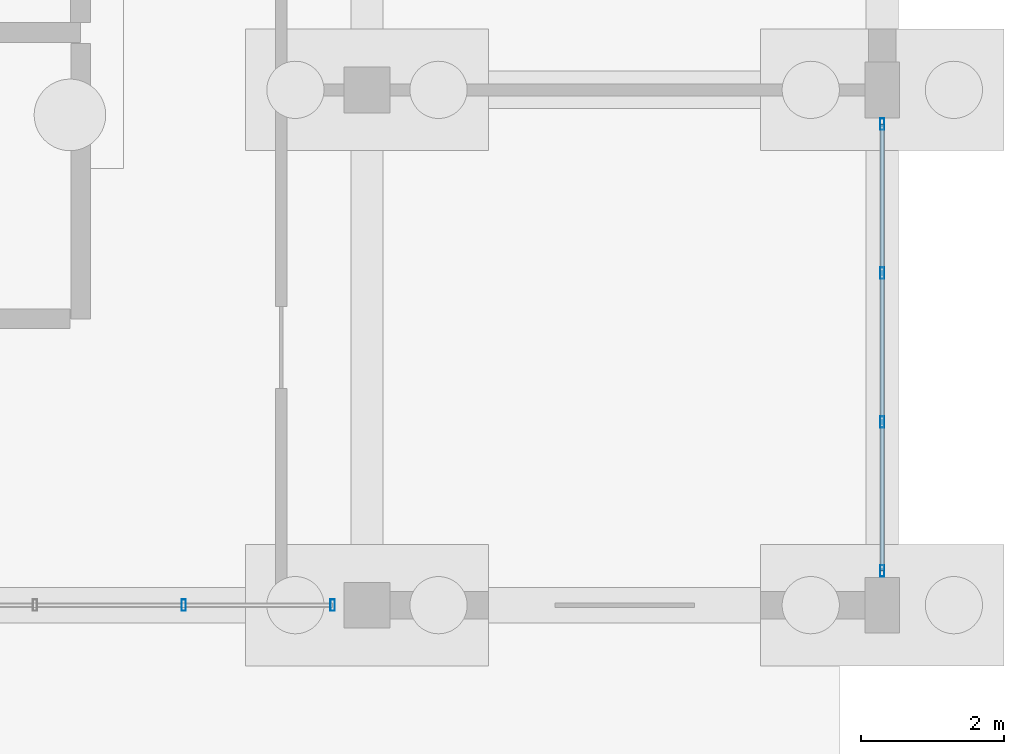
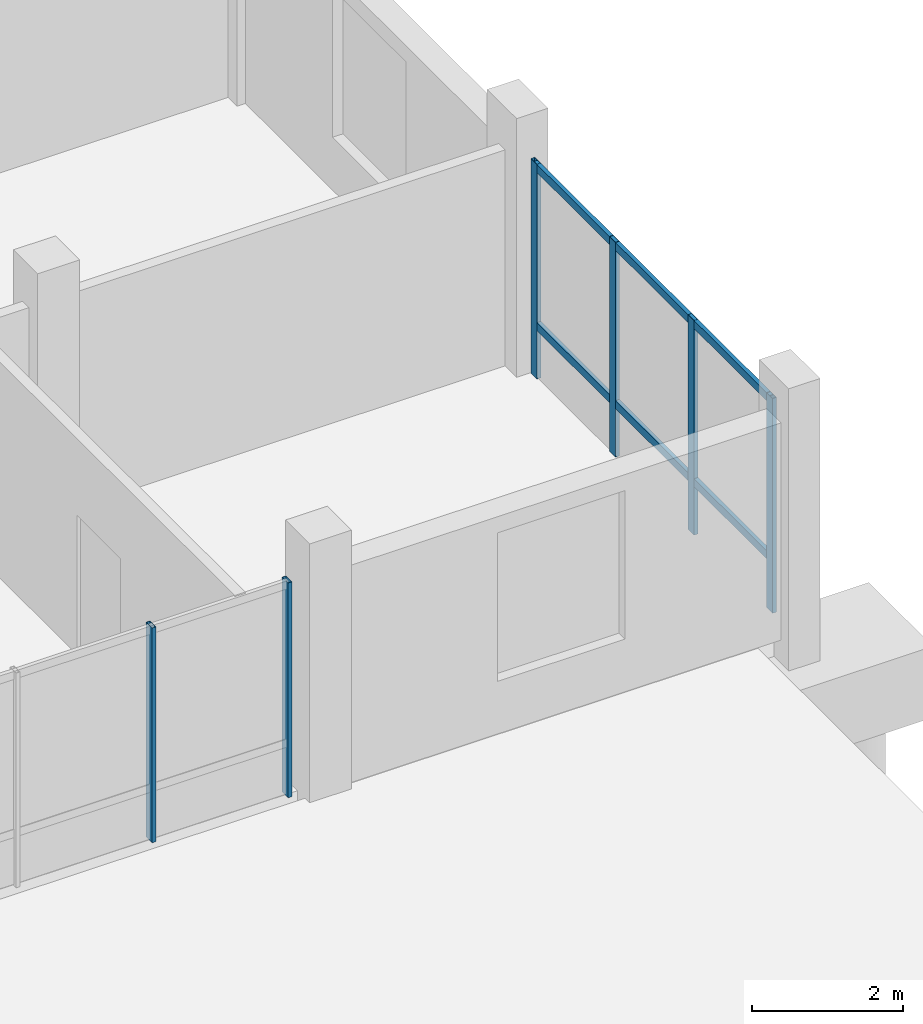
# One storey, part 56 of 98: 8 members, 2 elements without a shape of their own.
"""IFC4 building model written with IfcOpenShell, lengths in metres."""

from ifc_helpers import new_model, si_unit, direction, frame, origin, origin_2d, place, context, subcontext, project, spatial, hollow_rectangle, extrude, material, material_profile, profile_set, type_object, element, aggregate, save


model = new_model("IFC4")

# Units and contexts
model_context = context("Model", 3, precision=1e-05, world=origin(), true_north=direction((0.0, 1.0)))
body_context = subcontext(model_context, "Body", "Model", "MODEL_VIEW")
ifc_project = project(units=[si_unit("LENGTHUNIT", "METRE"), si_unit("AREAUNIT", "SQUARE_METRE"), si_unit("VOLUMEUNIT", "CUBIC_METRE"), si_unit("PLANEANGLEUNIT", "RADIAN"), si_unit("MASSUNIT", "GRAM", prefix="KILO")], contexts=[model_context])

# Site, building, storey
site_placement = place(None, origin())
site = spatial("IfcSite", under=ifc_project, at=site_placement, CompositionType="ELEMENT")
building_placement = place(site_placement, origin())
building = spatial("IfcBuilding", under=site, at=building_placement, Name="Zornivar Specialist Clinic", CompositionType="ELEMENT")
storey_placement = place(building_placement, origin())
storey = spatial("IfcBuildingStorey", under=building, at=storey_placement, Name="L00", CompositionType="ELEMENT", Elevation=0.0)

# Curtain wall, members
ifc_material_1 = material(Name="Aluminium and Low-E Glass Curtain Wall", Category="aluminium")
curtain_wall_type = type_object("IfcCurtainWallType", Name="CW-LAB-NORTH", PredefinedType="NOTDEFINED", material=ifc_material_1)
curtain_wall_1_placement = place(storey_placement, origin())
curtain_wall_1 = element("IfcCurtainWall", 1, at=curtain_wall_1_placement, inside=storey, type_object=curtain_wall_type, Name="cw:V6:L00:02", PredefinedType="NOTDEFINED")
ifc_material_2 = material(Name="Aluminium AW-6060", Category="aluminium")
ifc_material_profile_1 = material_profile(ifc_material_2, hollow_rectangle(XDim=0.06005859375, YDim=0.159912109375, WallThickness=0.00390625, at=origin_2d()), Name="ALU 60x160x4")
ifc_profile_set_1 = profile_set([ifc_material_profile_1], Name="Aluminium AW-6060")
member_type_1 = type_object("IfcMemberType", Name="CWM-MUL-160", PredefinedType="MULLION", material=ifc_profile_set_1)
member_1_placement = place(storey_placement, frame((155.840087890625, 64.800048828125, 0.0), z_axis=(0.0, 0.0, 1.0), x_axis=(1.0, 0.0, 0.0)))
member_1 = element("IfcMember", 2, at=member_1_placement, type_object=member_type_1, Name="cw:V6:L00:02:mul:2", PredefinedType="MULLION", context=body_context, shape_type="SweptSolid", body=[
    extrude(hollow_rectangle(XDim=0.06005859375, YDim=0.159912109375, WallThickness=0.00390625, at=origin_2d()), origin(), (0.0, 0.0, 1.0), 3.469970703125),
])
member_2_placement = place(storey_placement, frame((157.919921875, 64.800048828125, 0.0), z_axis=(0.0, 0.0, 1.0), x_axis=(1.0, 0.0, 0.0)))
member_2 = element("IfcMember", 3, at=member_2_placement, type_object=member_type_1, Name="cw:V6:L00:02:mul:3", PredefinedType="MULLION", context=body_context, shape_type="SweptSolid", body=[
    extrude(hollow_rectangle(XDim=0.06005859375, YDim=0.159912109375, WallThickness=0.00390625, at=origin_2d()), origin(), (0.0, 0.0, 1.0), 3.469970703125),
])
aggregate(curtain_wall_1, [member_1, member_2])

curtain_wall_2_placement = place(storey_placement, origin())
curtain_wall_2 = element("IfcCurtainWall", 4, at=curtain_wall_2_placement, inside=storey, type_object=curtain_wall_type, Name="cw:V6:L00:04", PredefinedType="NOTDEFINED")
member_3_placement = place(storey_placement, frame((165.60009765625, 65.280029296875, 0.0), z_axis=(0.0, 0.0, 1.0), x_axis=(1.0, 0.0, 0.0)))
member_3 = element("IfcMember", 5, at=member_3_placement, type_object=member_type_1, Name="cw:V6:L00:04:mul:0", PredefinedType="MULLION", context=body_context, shape_type="SweptSolid", body=[
    extrude(hollow_rectangle(XDim=0.06005859375, YDim=0.159912109375, WallThickness=0.00390625, at=origin_2d()), origin(), (0.0, 0.0, 1.0), 3.469970703125),
])
member_4_placement = place(storey_placement, frame((165.60009765625, 67.360107421875, 0.0), z_axis=(0.0, 0.0, 1.0), x_axis=(1.0, 0.0, 0.0)))
member_4 = element("IfcMember", 6, at=member_4_placement, type_object=member_type_1, Name="cw:V6:L00:04:mul:1", PredefinedType="MULLION", context=body_context, shape_type="SweptSolid", body=[
    extrude(hollow_rectangle(XDim=0.06005859375, YDim=0.159912109375, WallThickness=0.00390625, at=origin_2d()), origin(), (0.0, 0.0, 1.0), 3.469970703125),
])
member_5_placement = place(storey_placement, frame((165.60009765625, 69.43994140625, 0.0), z_axis=(0.0, 0.0, 1.0), x_axis=(1.0, 0.0, 0.0)))
member_5 = element("IfcMember", 7, at=member_5_placement, type_object=member_type_1, Name="cw:V6:L00:04:mul:2", PredefinedType="MULLION", context=body_context, shape_type="SweptSolid", body=[
    extrude(hollow_rectangle(XDim=0.06005859375, YDim=0.159912109375, WallThickness=0.00390625, at=origin_2d()), origin(), (0.0, 0.0, 1.0), 3.469970703125),
])
member_6_placement = place(storey_placement, frame((165.60009765625, 71.52001953125, 0.0), z_axis=(0.0, 0.0, 1.0), x_axis=(1.0, 0.0, 0.0)))
member_6 = element("IfcMember", 8, at=member_6_placement, type_object=member_type_1, Name="cw:V6:L00:04:mul:3", PredefinedType="MULLION", context=body_context, shape_type="SweptSolid", body=[
    extrude(hollow_rectangle(XDim=0.06005859375, YDim=0.159912109375, WallThickness=0.00390625, at=origin_2d()), origin(), (0.0, 0.0, 1.0), 3.469970703125),
])
ifc_material_3 = material(Name="Aluminium AW-6060", Category="aluminium")
ifc_material_profile_2 = material_profile(ifc_material_3, hollow_rectangle(XDim=0.06005859375, YDim=0.1298828125, WallThickness=0.00390625, at=origin_2d()), Name="ALU 60x130x4")
ifc_profile_set_2 = profile_set([ifc_material_profile_2], Name="Aluminium AW-6060")
member_type_2 = type_object("IfcMemberType", Name="CWM-TRN-130", PredefinedType="USERDEFINED", material=ifc_profile_set_2)
member_7_placement = place(storey_placement, frame((165.60009765625, 65.280029296875, 0.85009765625), z_axis=(0.0, 1.0, 0.0), x_axis=(-1.0, 0.0, 0.0)))
member_7 = element("IfcMember", 9, at=member_7_placement, type_object=member_type_2, Name="cw:V6:L00:04:trn:0", ObjectType="TRANSOM", PredefinedType="USERDEFINED", context=body_context, shape_type="SweptSolid", body=[
    extrude(hollow_rectangle(XDim=0.06005859375, YDim=0.1298828125, WallThickness=0.00390625, at=origin_2d()), origin(), (0.0, 0.0, 1.0), 6.239990234375),
])
member_8_placement = place(storey_placement, frame((165.60009765625, 65.280029296875, 3.405029296875), z_axis=(0.0, 1.0, 0.0), x_axis=(-1.0, 0.0, 0.0)))
member_8 = element("IfcMember", 10, at=member_8_placement, type_object=member_type_2, Name="cw:V6:L00:04:trn:1", ObjectType="TRANSOM", PredefinedType="USERDEFINED", context=body_context, shape_type="SweptSolid", body=[
    extrude(hollow_rectangle(XDim=0.06005859375, YDim=0.1298828125, WallThickness=0.00390625, at=origin_2d()), origin(), (0.0, 0.0, 1.0), 6.239990234375),
])
aggregate(curtain_wall_2, [member_3, member_4, member_5, member_6, member_7, member_8])

save(model, "model.ifc")
